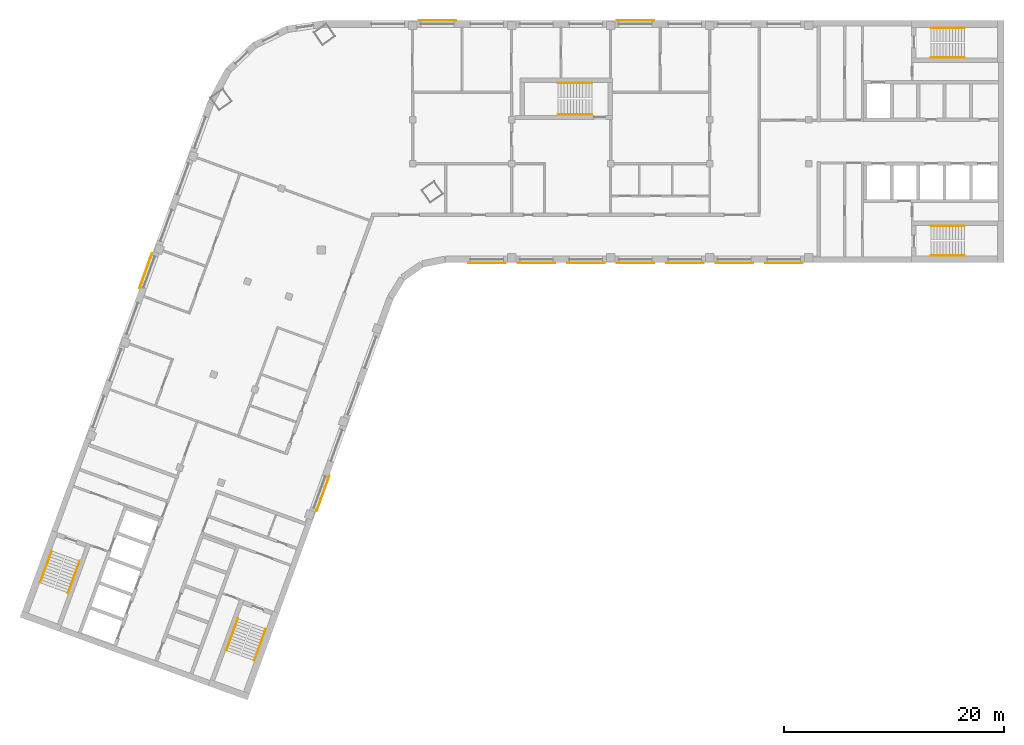
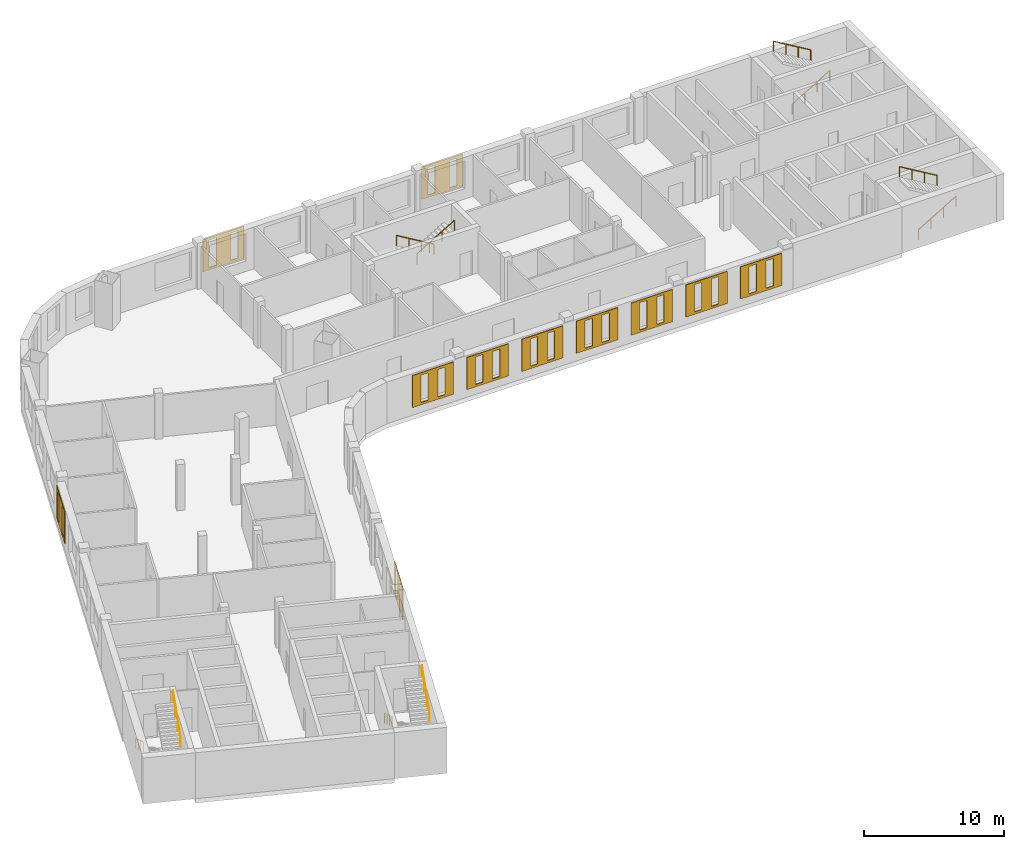
# One storey, part 8 of 8: 11 coverings, 10 railings.
"""IFC4 building model written with IfcOpenShell, lengths in metres."""

from ifc_helpers import new_model, si_unit, direction, frame, origin, origin_2d, place, context, subcontext, project, spatial, polyline, circle, outline, extrude, material, material_profile, profile_set, type_object, element, save


model = new_model("IFC4")

# Units and contexts
model_context = context("Model", 3, precision=1e-05, world=origin(), true_north=direction((0.0, 1.0)))
body_context = subcontext(model_context, "Body", "Model", "MODEL_VIEW")
ifc_project = project(units=[si_unit("LENGTHUNIT", "METRE"), si_unit("AREAUNIT", "SQUARE_METRE"), si_unit("VOLUMEUNIT", "CUBIC_METRE"), si_unit("PLANEANGLEUNIT", "RADIAN"), si_unit("MASSUNIT", "GRAM", prefix="KILO")], contexts=[model_context])

# Site, building, storey
site_placement = place(None, origin())
site = spatial("IfcSite", under=ifc_project, at=site_placement, CompositionType="ELEMENT")
building_placement = place(site_placement, origin())
building = spatial("IfcBuilding", under=site, at=building_placement, Name="Skarvind Civic Tower", CompositionType="ELEMENT")
storey_placement = place(building_placement, frame((0.0, 0.0, 220.0)))
storey = spatial("IfcBuildingStorey", under=building, at=storey_placement, Name="L52", CompositionType="ELEMENT", Elevation=220.0)

# Railings
ifc_material_1 = material(Name="Painted steel handrail", Category="steel")
railing_type = type_object("IfcRailingType", Name="Stair handrail 900", PredefinedType="HANDRAIL", material=ifc_material_1)
railing_1_placement = place(storey_placement, frame((101.35009765625, 135.64990234375, 0.166748046875)))
element("IfcRailing", 1, at=railing_1_placement, inside=storey, type_object=railing_type, Name="Stair handrail", PredefinedType="HANDRAIL", context=body_context, shape_type="SweptSolid", body=[
    extrude(circle(Radius=0.02392578125, at=origin_2d()), frame((0.0, 0.0, 0.8759765625), z_axis=(0.859290745958, 0.0, 0.51148745235), x_axis=(0.0, 1.0, 0.0)), (0.0, 0.0, 1.0), 3.584228515625),
    extrude(circle(Radius=0.02099609375, at=origin_2d()), origin(), (0.0, 0.0, 1.0), 0.851806640625),
    extrude(circle(Radius=0.02099609375, at=origin_2d()), frame((1.026611328125, 0.0, 0.611083984375)), (0.0, 0.0, 1.0), 0.851806640625),
    extrude(circle(Radius=0.02099609375, at=origin_2d()), frame((2.05322265625, 0.0, 1.22216796875)), (0.0, 0.0, 1.0), 0.851806640625),
    extrude(circle(Radius=0.02099609375, at=origin_2d()), frame((3.079833984375, 0.0, 1.833251953125)), (0.0, 0.0, 1.0), 0.851806640625),
])
railing_2_placement = place(storey_placement, frame((104.429931640625, 138.35009765625, 2.166748046875)))
element("IfcRailing", 2, at=railing_2_placement, inside=storey, type_object=railing_type, Name="Stair handrail", PredefinedType="HANDRAIL", context=body_context, shape_type="SweptSolid", body=[
    extrude(circle(Radius=0.02392578125, at=origin_2d()), frame((0.0, 0.0, 0.8759765625), z_axis=(-0.859290745958, 0.0, 0.51148745235), x_axis=(0.0, -1.0, 0.0)), (0.0, 0.0, 1.0), 3.584228515625),
    extrude(circle(Radius=0.02099609375, at=origin_2d()), origin(), (0.0, 0.0, 1.0), 0.851806640625),
    extrude(circle(Radius=0.02099609375, at=origin_2d()), frame((-1.026611328125, 0.0, 0.611083984375)), (0.0, 0.0, 1.0), 0.851806640625),
    extrude(circle(Radius=0.02099609375, at=origin_2d()), frame((-2.05322265625, 0.0, 1.22216796875)), (0.0, 0.0, 1.0), 0.851806640625),
    extrude(circle(Radius=0.02099609375, at=origin_2d()), frame((-3.079833984375, 0.0, 1.833251953125)), (0.0, 0.0, 1.0), 0.851806640625),
])
railing_3_placement = place(storey_placement, frame((101.35009765625, 117.64990234375, 0.166748046875)))
element("IfcRailing", 3, at=railing_3_placement, inside=storey, type_object=railing_type, Name="Stair handrail", PredefinedType="HANDRAIL", context=body_context, shape_type="SweptSolid", body=[
    extrude(circle(Radius=0.02392578125, at=origin_2d()), frame((0.0, 0.0, 0.8759765625), z_axis=(0.859290745958, 0.0, 0.51148745235), x_axis=(0.0, 1.0, 0.0)), (0.0, 0.0, 1.0), 3.584228515625),
    extrude(circle(Radius=0.02099609375, at=origin_2d()), origin(), (0.0, 0.0, 1.0), 0.851806640625),
    extrude(circle(Radius=0.02099609375, at=origin_2d()), frame((1.026611328125, 0.0, 0.611083984375)), (0.0, 0.0, 1.0), 0.851806640625),
    extrude(circle(Radius=0.02099609375, at=origin_2d()), frame((2.05322265625, 0.0, 1.22216796875)), (0.0, 0.0, 1.0), 0.851806640625),
    extrude(circle(Radius=0.02099609375, at=origin_2d()), frame((3.079833984375, 0.0, 1.833251953125)), (0.0, 0.0, 1.0), 0.851806640625),
])
railing_4_placement = place(storey_placement, frame((104.429931640625, 120.35009765625, 2.166748046875)))
element("IfcRailing", 4, at=railing_4_placement, inside=storey, type_object=railing_type, Name="Stair handrail", PredefinedType="HANDRAIL", context=body_context, shape_type="SweptSolid", body=[
    extrude(circle(Radius=0.02392578125, at=origin_2d()), frame((0.0, 0.0, 0.8759765625), z_axis=(-0.859290745958, 0.0, 0.51148745235), x_axis=(0.0, -1.0, 0.0)), (0.0, 0.0, 1.0), 3.584228515625),
    extrude(circle(Radius=0.02099609375, at=origin_2d()), origin(), (0.0, 0.0, 1.0), 0.851806640625),
    extrude(circle(Radius=0.02099609375, at=origin_2d()), frame((-1.026611328125, 0.0, 0.611083984375)), (0.0, 0.0, 1.0), 0.851806640625),
    extrude(circle(Radius=0.02099609375, at=origin_2d()), frame((-2.05322265625, 0.0, 1.22216796875)), (0.0, 0.0, 1.0), 0.851806640625),
    extrude(circle(Radius=0.02099609375, at=origin_2d()), frame((-3.079833984375, 0.0, 1.833251953125)), (0.0, 0.0, 1.0), 0.851806640625),
])
railing_5_placement = place(storey_placement, frame((38.362060546875, 84.64794921875, 0.166748046875)))
element("IfcRailing", 5, at=railing_5_placement, inside=storey, type_object=railing_type, Name="Stair handrail", PredefinedType="HANDRAIL", context=body_context, shape_type="SweptSolid", body=[
    extrude(circle(Radius=0.02392578125, at=origin_2d()), frame((0.0, 0.0, 0.8759765625), z_axis=(-0.293908055923, -0.807480881337, 0.511461319103), x_axis=(0.939689235759, -0.342029443467, 0.0)), (0.0, 0.0, 1.0), 3.584228515625),
    extrude(circle(Radius=0.02099609375, at=origin_2d()), origin(), (0.0, 0.0, 1.0), 0.851806640625),
    extrude(circle(Radius=0.02099609375, at=origin_2d()), frame((-0.35107421875, -0.96484375, 0.611083984375)), (0.0, 0.0, 1.0), 0.851806640625),
    extrude(circle(Radius=0.02099609375, at=origin_2d()), frame((-0.702392578125, -1.929443359375, 1.22216796875)), (0.0, 0.0, 1.0), 0.851806640625),
    extrude(circle(Radius=0.02099609375, at=origin_2d()), frame((-1.053466796875, -2.894287109375, 1.833251953125)), (0.0, 0.0, 1.0), 0.851806640625),
])
railing_6_placement = place(storey_placement, frame((39.845703125, 80.830078125, 2.166748046875)))
element("IfcRailing", 6, at=railing_6_placement, inside=storey, type_object=railing_type, Name="Stair handrail", PredefinedType="HANDRAIL", context=body_context, shape_type="SweptSolid", body=[
    extrude(circle(Radius=0.02392578125, at=origin_2d()), frame((0.0, 0.0, 0.8759765625), z_axis=(0.293908055923, 0.807480881337, 0.511461319103), x_axis=(-0.939689235759, 0.342029443467, 0.0)), (0.0, 0.0, 1.0), 3.584228515625),
    extrude(circle(Radius=0.02099609375, at=origin_2d()), origin(), (0.0, 0.0, 1.0), 0.851806640625),
    extrude(circle(Radius=0.02099609375, at=origin_2d()), frame((0.35107421875, 0.96484375, 0.611083984375)), (0.0, 0.0, 1.0), 0.851806640625),
    extrude(circle(Radius=0.02099609375, at=origin_2d()), frame((0.702392578125, 1.929443359375, 1.22216796875)), (0.0, 0.0, 1.0), 0.851806640625),
    extrude(circle(Radius=0.02099609375, at=origin_2d()), frame((1.053466796875, 2.894287109375, 1.833251953125)), (0.0, 0.0, 1.0), 0.851806640625),
])
railing_7_placement = place(storey_placement, frame((21.447509765625, 90.80419921875, 0.166748046875)))
element("IfcRailing", 7, at=railing_7_placement, inside=storey, type_object=railing_type, Name="Stair handrail", PredefinedType="HANDRAIL", context=body_context, shape_type="SweptSolid", body=[
    extrude(circle(Radius=0.02392578125, at=origin_2d()), frame((0.0, 0.0, 0.8759765625), z_axis=(-0.293845824691, -0.807497044902, 0.511471557163), x_axis=(0.939714709796, -0.34195944817, 0.0)), (0.0, 0.0, 1.0), 3.584228515625),
    extrude(circle(Radius=0.02099609375, at=origin_2d()), origin(), (0.0, 0.0, 1.0), 0.851806640625),
    extrude(circle(Radius=0.02099609375, at=origin_2d()), frame((-0.35107421875, -0.96484375, 0.611083984375)), (0.0, 0.0, 1.0), 0.851806640625),
    extrude(circle(Radius=0.02099609375, at=origin_2d()), frame((-0.7021484375, -1.929443359375, 1.22216796875)), (0.0, 0.0, 1.0), 0.851806640625),
    extrude(circle(Radius=0.02099609375, at=origin_2d()), frame((-1.05322265625, -2.894287109375, 1.833251953125)), (0.0, 0.0, 1.0), 0.851806640625),
])
railing_8_placement = place(storey_placement, frame((22.931396484375, 86.986572265625, 2.166748046875)))
element("IfcRailing", 8, at=railing_8_placement, inside=storey, type_object=railing_type, Name="Stair handrail", PredefinedType="HANDRAIL", context=body_context, shape_type="SweptSolid", body=[
    extrude(circle(Radius=0.02392578125, at=origin_2d()), frame((0.0, 0.0, 0.8759765625), z_axis=(0.293908055923, 0.807480881337, 0.511461319103), x_axis=(-0.939689235759, 0.342029443467, 0.0)), (0.0, 0.0, 1.0), 3.584228515625),
    extrude(circle(Radius=0.02099609375, at=origin_2d()), origin(), (0.0, 0.0, 1.0), 0.851806640625),
    extrude(circle(Radius=0.02099609375, at=origin_2d()), frame((0.35107421875, 0.96484375, 0.611083984375)), (0.0, 0.0, 1.0), 0.851806640625),
    extrude(circle(Radius=0.02099609375, at=origin_2d()), frame((0.702392578125, 1.929443359375, 1.22216796875)), (0.0, 0.0, 1.0), 0.851806640625),
    extrude(circle(Radius=0.02099609375, at=origin_2d()), frame((1.053466796875, 2.894287109375, 1.833251953125)), (0.0, 0.0, 1.0), 0.851806640625),
])
railing_9_placement = place(storey_placement, frame((70.550048828125, 133.35009765625, 0.166748046875)))
element("IfcRailing", 9, at=railing_9_placement, inside=storey, type_object=railing_type, Name="Stair handrail", PredefinedType="HANDRAIL", context=body_context, shape_type="SweptSolid", body=[
    extrude(circle(Radius=0.02392578125, at=origin_2d()), frame((0.0, 0.0, 0.8759765625), z_axis=(-0.859308565015, 0.0, 0.511457515432), x_axis=(0.0, -1.0, 0.0)), (0.0, 0.0, 1.0), 3.58447265625),
    extrude(circle(Radius=0.02099609375, at=origin_2d()), origin(), (0.0, 0.0, 1.0), 0.851806640625),
    extrude(circle(Radius=0.02099609375, at=origin_2d()), frame((-1.026611328125, 0.0, 0.611083984375)), (0.0, 0.0, 1.0), 0.851806640625),
    extrude(circle(Radius=0.02099609375, at=origin_2d()), frame((-2.053466796875, 0.0, 1.22216796875)), (0.0, 0.0, 1.0), 0.851806640625),
    extrude(circle(Radius=0.02099609375, at=origin_2d()), frame((-3.080078125, 0.0, 1.833251953125)), (0.0, 0.0, 1.0), 0.851806640625),
])
railing_10_placement = place(storey_placement, frame((67.469970703125, 130.449951171875, 2.166748046875)))
element("IfcRailing", 10, at=railing_10_placement, inside=storey, type_object=railing_type, Name="Stair handrail", PredefinedType="HANDRAIL", context=body_context, shape_type="SweptSolid", body=[
    extrude(circle(Radius=0.02392578125, at=origin_2d()), frame((0.0, 0.0, 0.8759765625), z_axis=(0.859308565015, 0.0, 0.511457515432), x_axis=(0.0, 1.0, 0.0)), (0.0, 0.0, 1.0), 3.58447265625),
    extrude(circle(Radius=0.02099609375, at=origin_2d()), origin(), (0.0, 0.0, 1.0), 0.851806640625),
    extrude(circle(Radius=0.02099609375, at=origin_2d()), frame((1.026611328125, 0.0, 0.611083984375)), (0.0, 0.0, 1.0), 0.851806640625),
    extrude(circle(Radius=0.02099609375, at=origin_2d()), frame((2.053466796875, 0.0, 1.22216796875)), (0.0, 0.0, 1.0), 0.851806640625),
    extrude(circle(Radius=0.02099609375, at=origin_2d()), frame((3.080078125, 0.0, 1.833251953125)), (0.0, 0.0, 1.0), 0.851806640625),
])

# Coverings
ifc_material_2 = material(Name="Terracotta", Category="masonry")
ifc_material_profile_1 = material_profile(ifc_material_2, outline(polyline([(-1.699951171875, -1.39990234375), (1.699951171875, -1.39990234375), (1.699951171875, 1.39990234375), (-1.699951171875, 1.39990234375), (-1.699951171875, -1.39990234375)]), holes=[polyline([(-1.0, -1.18994140625), (-0.39990234375, -1.18994140625), (-0.39990234375, 1.18994140625), (-1.0, 1.18994140625), (-1.0, -1.18994140625)]), polyline([(0.39990234375, -1.18994140625), (1.0, -1.18994140625), (1.0, 1.18994140625), (0.39990234375, 1.18994140625), (0.39990234375, -1.18994140625)])]), Name="TERRACOTTA SCREEN 3400 x 2800, SLIT PITCH 1400")
ifc_profile_set_1 = profile_set([ifc_material_profile_1], Name="Terracotta")
covering_type_1 = type_object("IfcCoveringType", Name="TERRACOTTA SCREEN 3400 x 2800, SLIT PITCH 1400", PredefinedType="CLADDING", material=ifc_profile_set_1)
for number, where, z_axis, x_axis, name in (
    (11, (88.0, 117.0, 2.10009765625), (0.0, -1.0, 0.0), (1.0, 0.0, 0.0), "TERRACOTTA SCREEN"),
    (12, (83.5, 117.0, 2.10009765625), (0.0, -1.0, 0.0), (1.0, 0.0, 0.0), "TERRACOTTA SCREEN"),
    (13, (79.0, 117.0, 2.10009765625), (0.0, -1.0, 0.0), (1.0, 0.0, 0.0), "TERRACOTTA SCREEN"),
    (14, (74.5, 117.0, 2.10009765625), (0.0, -1.0, 0.0), (1.0, 0.0, 0.0), "TERRACOTTA SCREEN"),
    (15, (70.0, 117.0, 2.10009765625), (0.0, -1.0, 0.0), (1.0, 0.0, 0.0), "TERRACOTTA SCREEN"),
    (16, (65.5, 117.0, 2.10009765625), (0.0, -1.0, 0.0), (1.0, 0.0, 0.0), "TERRACOTTA SCREEN"),
    (17, (61.0, 117.0, 2.10009765625), (0.0, -1.0, 0.0), (1.0, 0.0, 0.0), "TERRACOTTA SCREEN"),
):
    element("IfcCovering", number, at=place(storey_placement, frame(where, z_axis=z_axis, x_axis=x_axis)), inside=storey, type_object=covering_type_1, Name=name, PredefinedType="CLADDING", context=body_context, shape_type="SweptSolid", body=[
        extrude(outline(polyline([(-1.699951171875, -1.39990234375), (1.699951171875, -1.39990234375), (1.699951171875, 1.39990234375), (-1.699951171875, 1.39990234375), (-1.699951171875, -1.39990234375)]), holes=[polyline([(-1.0, -1.18994140625), (-0.39990234375, -1.18994140625), (-0.39990234375, 1.18994140625), (-1.0, 1.18994140625), (-1.0, -1.18994140625)]), polyline([(0.39990234375, -1.18994140625), (1.0, -1.18994140625), (1.0, 1.18994140625), (0.39990234375, 1.18994140625), (0.39990234375, -1.18994140625)])]), origin(), (0.0, 0.0, 1.0), 0.06005859375),
    ])
ifc_material_profile_2 = material_profile(ifc_material_2, outline(polyline([(-1.699951171875, -1.39990234375), (1.699951171875, -1.39990234375), (1.699951171875, 1.39990234375), (-1.699951171875, 1.39990234375), (-1.699951171875, -1.39990234375)]), holes=[polyline([(-1.199951171875, -1.18994140625), (-0.60009765625, -1.18994140625), (-0.60009765625, 1.18994140625), (-1.199951171875, 1.18994140625), (-1.199951171875, -1.18994140625)]), polyline([(0.60009765625, -1.18994140625), (1.199951171875, -1.18994140625), (1.199951171875, 1.18994140625), (0.60009765625, 1.18994140625), (0.60009765625, -1.18994140625)])]), Name="TERRACOTTA SCREEN 3400 x 2800, SLIT PITCH 1800")
ifc_profile_set_2 = profile_set([ifc_material_profile_2], Name="Terracotta")
covering_type_2 = type_object("IfcCoveringType", Name="TERRACOTTA SCREEN 3400 x 2800, SLIT PITCH 1800", PredefinedType="CLADDING", material=ifc_profile_set_2)
for number, where, z_axis, x_axis, name in (
    (18, (46.075927734375, 96.047119140625, 2.10009765625), (0.939793423488, -0.341743063087, 0.0), (0.341743063087, 0.939793423488, 0.0), "TERRACOTTA SCREEN"),
    (19, (56.5, 139.0, 2.10009765625), (0.0, 1.0, 0.0), (-1.0, 0.0, 0.0), "TERRACOTTA SCREEN"),
    (20, (74.5, 139.0, 2.10009765625), (0.0, 1.0, 0.0), (-1.0, 0.0, 0.0), "TERRACOTTA SCREEN"),
    (21, (30.02001953125, 116.25732421875, 2.10009765625), (-0.939793423488, 0.341743063087, 0.0), (-0.341743063087, -0.939793423488, 0.0), "TERRACOTTA SCREEN"),
):
    element("IfcCovering", number, at=place(storey_placement, frame(where, z_axis=z_axis, x_axis=x_axis)), inside=storey, type_object=covering_type_2, Name=name, PredefinedType="CLADDING", context=body_context, shape_type="SweptSolid", body=[
        extrude(outline(polyline([(-1.699951171875, -1.39990234375), (1.699951171875, -1.39990234375), (1.699951171875, 1.39990234375), (-1.699951171875, 1.39990234375), (-1.699951171875, -1.39990234375)]), holes=[polyline([(-1.199951171875, -1.18994140625), (-0.60009765625, -1.18994140625), (-0.60009765625, 1.18994140625), (-1.199951171875, 1.18994140625), (-1.199951171875, -1.18994140625)]), polyline([(0.60009765625, -1.18994140625), (1.199951171875, -1.18994140625), (1.199951171875, 1.18994140625), (0.60009765625, 1.18994140625), (0.60009765625, -1.18994140625)])]), origin(), (0.0, 0.0, 1.0), 0.06005859375),
    ])

save(model, "model.ifc")
